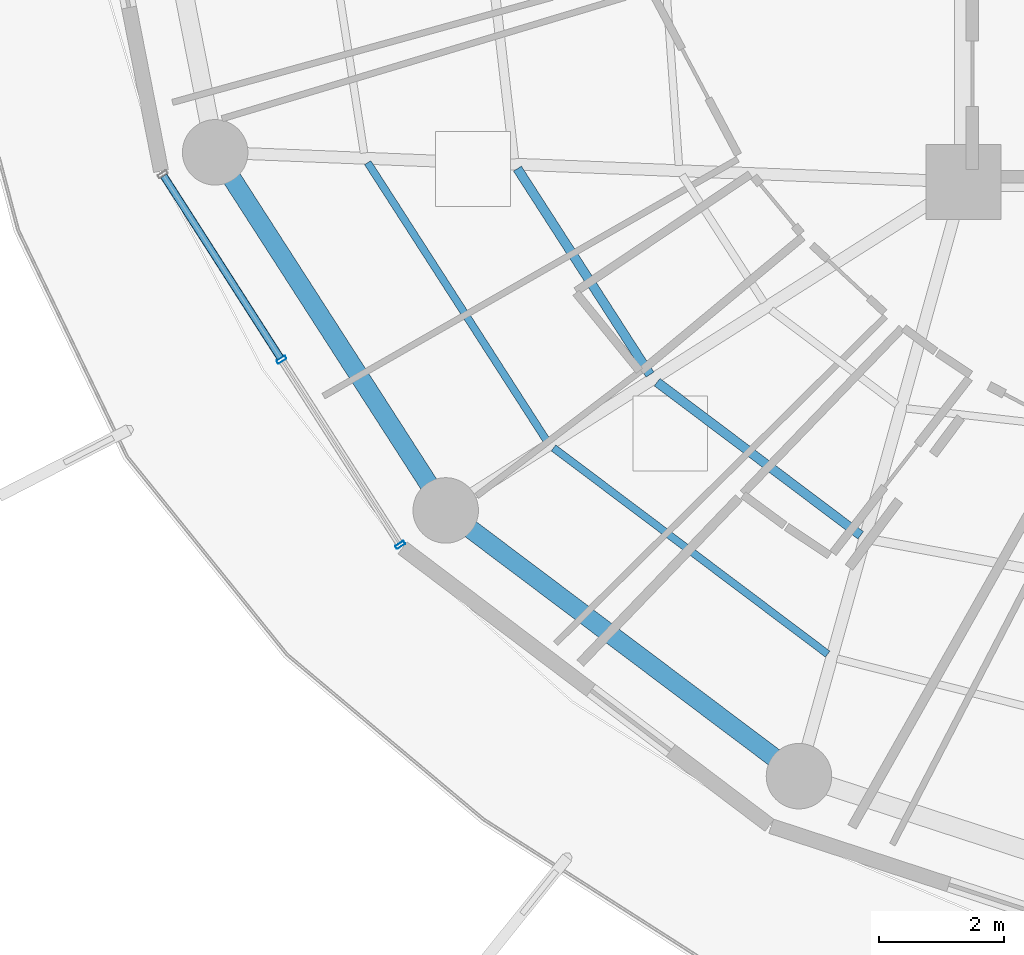
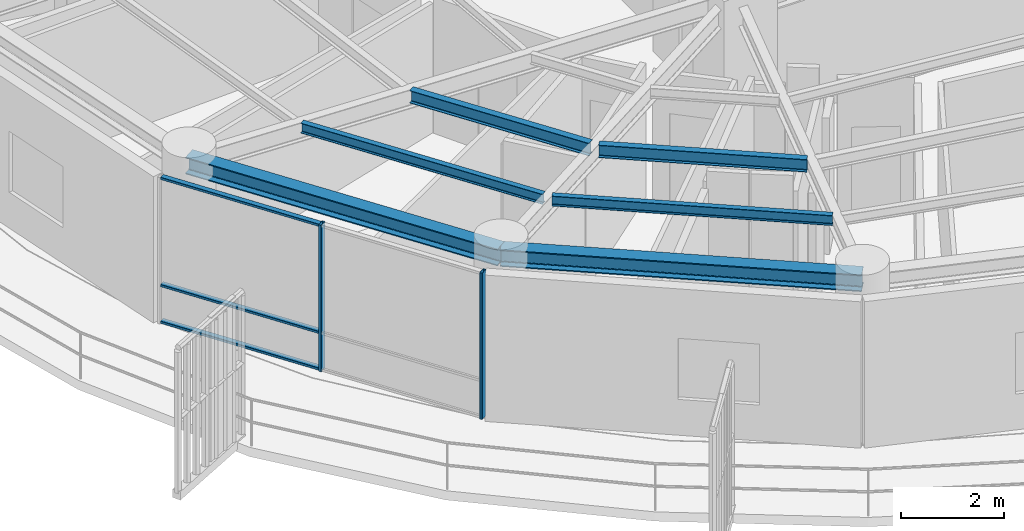
# One storey, part 2 of 31: 6 beams, 5 members, 1 element without a shape of its own.
"""IFC4 building model written with IfcOpenShell, lengths in metres."""

from ifc_helpers import new_model, si_unit, direction, frame, origin, origin_2d, place, context, subcontext, project, spatial, hollow_rectangle, i_section, extrude, material, layer, layer_set, material_profile, profile_set, type_object, element, aggregate, save


model = new_model("IFC4")

# Units and contexts
model_context = context("Model", 3, precision=1e-05, world=origin(), true_north=direction((0.0, 1.0)))
body_context = subcontext(model_context, "Body", "Model", "MODEL_VIEW")
ifc_project = project(units=[si_unit("LENGTHUNIT", "METRE"), si_unit("AREAUNIT", "SQUARE_METRE"), si_unit("VOLUMEUNIT", "CUBIC_METRE"), si_unit("PLANEANGLEUNIT", "RADIAN"), si_unit("MASSUNIT", "GRAM", prefix="KILO")], contexts=[model_context])

# Site, building, storey
site_placement = place(None, origin())
site = spatial("IfcSite", under=ifc_project, at=site_placement, CompositionType="ELEMENT")
building_placement = place(site_placement, origin())
building = spatial("IfcBuilding", under=site, at=building_placement, Name="Kelanora Arch Commons", CompositionType="ELEMENT")
storey_placement = place(building_placement, frame((0.0, 0.0, 196.949951171875)))
storey = spatial("IfcBuildingStorey", under=building, at=storey_placement, Name="L50", CompositionType="ELEMENT", Elevation=196.949951171875)

# Beams
ifc_material_1 = material(Name="Steel S355", Category="steel")
ifc_material_profile_1 = material_profile(ifc_material_1, i_section(OverallWidth=0.14990234375, OverallDepth=0.300048828125, WebThickness=0.007080078125, FlangeThickness=0.0107421875, FilletRadius=0.014892578125, at=origin_2d()), Name="IPE300")
ifc_profile_set_1 = profile_set([ifc_material_profile_1], Name="Steel S355")
beam_type_1 = type_object("IfcBeamType", Name="BM-JST-01", PredefinedType="JOIST", material=ifc_profile_set_1)
beam_1_placement = place(storey_placement, frame((58.847900390625, 51.213134765625, 3.340087890625), z_axis=(0.541411265892, -0.840757896879, 0.0), x_axis=(0.840757896879, 0.541411265892, 0.0)))
element("IfcBeam", 1, at=beam_1_placement, inside=storey, type_object=beam_type_1, Name="Secondary Chord Joist BJB-20 L50", PredefinedType="JOIST", context=body_context, shape_type="SweptSolid", body=[
    extrude(i_section(OverallWidth=0.14990234375, OverallDepth=0.300048828125, WebThickness=0.007080078125, FlangeThickness=0.0107421875, FilletRadius=0.014892578125, at=origin_2d()), origin(), (0.0, 0.0, 1.0), 3.92529296875),
])
beam_2_placement = place(storey_placement, frame((61.087158203125, 47.790283203125, 3.340087890625), z_axis=(0.799101708656, -0.601195857624, 0.0), x_axis=(0.601195857624, 0.799101708656, 0.0)))
element("IfcBeam", 2, at=beam_2_placement, inside=storey, type_object=beam_type_1, Name="Secondary Chord Joist BJB-22 L50", PredefinedType="JOIST", context=body_context, shape_type="SweptSolid", body=[
    extrude(i_section(OverallWidth=0.14990234375, OverallDepth=0.300048828125, WebThickness=0.007080078125, FlangeThickness=0.0107421875, FilletRadius=0.014892578125, at=origin_2d()), origin(), (0.0, 0.0, 1.0), 4.080810546875),
])
ifc_material_profile_2 = material_profile(ifc_material_1, i_section(OverallWidth=0.1201171875, OverallDepth=0.239990234375, WebThickness=0.006103515625, FlangeThickness=0.009765625, FilletRadius=0.014892578125, at=origin_2d()), Name="IPE240")
ifc_profile_set_2 = profile_set([ifc_material_profile_2], Name="Steel S355")
beam_type_2 = type_object("IfcBeamType", Name="BM-JST-02", PredefinedType="JOIST", material=ifc_profile_set_2)
beam_3_placement = place(storey_placement, frame((56.44873046875, 51.30810546875, 3.3701171875), z_axis=(0.541382492679, -0.840776424872, 0.0), x_axis=(0.840776424872, 0.541382492679, 0.0)))
element("IfcBeam", 3, at=beam_3_placement, inside=storey, type_object=beam_type_2, Name="Secondary Chord Joist BJC-20 L50", PredefinedType="JOIST", context=body_context, shape_type="SweptSolid", body=[
    extrude(i_section(OverallWidth=0.1201171875, OverallDepth=0.239990234375, WebThickness=0.006103515625, FlangeThickness=0.009765625, FilletRadius=0.014892578125, at=origin_2d()), origin(), (0.0, 0.0, 1.0), 5.29052734375),
])
beam_4_placement = place(storey_placement, frame((59.4267578125, 46.7373046875, 3.3701171875), z_axis=(0.799109197935, -0.601185902842, 0.0), x_axis=(0.601185902842, 0.799109197935, 0.0)))
element("IfcBeam", 4, at=beam_4_placement, inside=storey, type_object=beam_type_2, Name="Secondary Chord Joist BJC-22 L50", PredefinedType="JOIST", context=body_context, shape_type="SweptSolid", body=[
    extrude(i_section(OverallWidth=0.1201171875, OverallDepth=0.239990234375, WebThickness=0.006103515625, FlangeThickness=0.009765625, FilletRadius=0.014892578125, at=origin_2d()), origin(), (0.0, 0.0, 1.0), 5.497802734375),
])
ifc_material_profile_3 = material_profile(ifc_material_1, i_section(OverallWidth=0.300048828125, OverallDepth=0.39990234375, WebThickness=0.013427734375, FlangeThickness=0.02392578125, FilletRadius=0.027099609375, at=origin_2d()), Name="HEB400")
ifc_profile_set_3 = profile_set([ifc_material_profile_3], Name="Steel S355")
beam_type_3 = type_object("IfcBeamType", Name="BM-SPN-Z4", PredefinedType="SPANDREL", material=ifc_profile_set_3)
beam_5_placement = place(storey_placement, frame((54.00341796875, 51.474365234375, 3.2900390625), z_axis=(0.541364878868, -0.840787766281, 0.0), x_axis=(0.840787766281, 0.541364878868, 0.0)))
element("IfcBeam", 5, at=beam_5_placement, inside=storey, type_object=beam_type_3, Name="Perimeter Spandrel Beam BS-20 L50", PredefinedType="SPANDREL", context=body_context, shape_type="SweptSolid", body=[
    extrude(i_section(OverallWidth=0.300048828125, OverallDepth=0.39990234375, WebThickness=0.013427734375, FlangeThickness=0.02392578125, FilletRadius=0.027099609375, at=origin_2d()), origin(), (0.0, 0.0, 1.0), 6.825439453125),
])
beam_6_placement = place(storey_placement, frame((57.698486328125, 45.735595703125, 3.2900390625), z_axis=(0.799114211715, -0.60117923836, 0.0), x_axis=(0.60117923836, 0.799114211715, 0.0)))
element("IfcBeam", 6, at=beam_6_placement, inside=storey, type_object=beam_type_3, Name="Perimeter Spandrel Beam BS-22 L50", PredefinedType="SPANDREL", context=body_context, shape_type="SweptSolid", body=[
    extrude(i_section(OverallWidth=0.300048828125, OverallDepth=0.39990234375, WebThickness=0.013427734375, FlangeThickness=0.02392578125, FilletRadius=0.027099609375, at=origin_2d()), origin(), (0.0, 0.0, 1.0), 7.0849609375),
])

# Curtain wall, members
ifc_material_2 = material(Name="Terracotta ceramic-fritted low-E glass and aluminium", Category="masonry")
ifc_layer = layer(ifc_material_2, 0.175048828125)
ifc_layer_set = layer_set([ifc_layer], Name="Terracotta ceramic-fritted low-E glass and aluminium")
curtain_wall_type = type_object("IfcCurtainWallType", Name="CW-SYS-02", PredefinedType="NOTDEFINED", material=ifc_layer_set)
curtain_wall_placement = place(storey_placement, origin())
curtain_wall = element("IfcCurtainWall", 7, at=curtain_wall_placement, inside=storey, type_object=curtain_wall_type, Name="Unitised Curtain Wall L50-B10", PredefinedType="NOTDEFINED")
ifc_material_3 = material(Name="Powder-coated aluminium terracotta", Category="masonry")
ifc_material_profile_4 = material_profile(ifc_material_3, hollow_rectangle(XDim=0.159912109375, YDim=0.06005859375, WallThickness=0.0048828125, InnerFilletRadius=0.0048828125, OuterFilletRadius=0.010009765625, at=origin_2d()), Name="CWM160x60")
ifc_profile_set_4 = profile_set([ifc_material_profile_4], Name="Powder-coated aluminium terracotta")
member_type_1 = type_object("IfcMemberType", Name="CWM-STD", PredefinedType="MULLION", material=ifc_profile_set_4)
member_1_placement = place(storey_placement, frame((55.06640625, 48.15185546875, 0.0), z_axis=(0.0, 0.0, 1.0), x_axis=(0.84194757539, 0.539559338994, 0.0)))
member_1 = element("IfcMember", 8, at=member_1_placement, type_object=member_type_1, Name="CW-02 mullion 2", PredefinedType="MULLION", context=body_context, shape_type="SweptSolid", body=[
    extrude(hollow_rectangle(XDim=0.159912109375, YDim=0.06005859375, WallThickness=0.0048828125, InnerFilletRadius=0.0048828125, OuterFilletRadius=0.010009765625, at=origin_2d()), origin(), (0.0, 0.0, 1.0), 3.47509765625),
])
member_2_placement = place(storey_placement, frame((56.969482421875, 45.18212890625, 0.0), z_axis=(0.0, 0.0, 1.0), x_axis=(0.84194757539, 0.539559338994, 0.0)))
member_2 = element("IfcMember", 9, at=member_2_placement, type_object=member_type_1, Name="CW-02 mullion 3", PredefinedType="MULLION", context=body_context, shape_type="SweptSolid", body=[
    extrude(hollow_rectangle(XDim=0.159912109375, YDim=0.06005859375, WallThickness=0.0048828125, InnerFilletRadius=0.0048828125, OuterFilletRadius=0.010009765625, at=origin_2d()), origin(), (0.0, 0.0, 1.0), 3.47509765625),
])
ifc_material_profile_5 = material_profile(ifc_material_3, hollow_rectangle(XDim=0.1201171875, YDim=0.06005859375, WallThickness=0.0048828125, InnerFilletRadius=0.0048828125, OuterFilletRadius=0.010009765625, at=origin_2d()), Name="CWT120x60")
ifc_profile_set_5 = profile_set([ifc_material_profile_5], Name="Powder-coated aluminium terracotta")
member_type_2 = type_object("IfcMemberType", Name="CWT-STD", PredefinedType="USERDEFINED", material=ifc_profile_set_5)
member_3_placement = place(storey_placement, frame((53.17919921875, 51.096435546875, 0.030029296875), z_axis=(0.539579095642, -0.84193491408, 0.0), x_axis=(0.84193491408, 0.539579095642, 0.0)))
member_3 = element("IfcMember", 10, at=member_3_placement, type_object=member_type_2, Name="CW-02 transom 1.1", ObjectType="TRANSOM", PredefinedType="USERDEFINED", context=body_context, shape_type="SweptSolid", body=[
    extrude(hollow_rectangle(XDim=0.1201171875, YDim=0.06005859375, WallThickness=0.0048828125, InnerFilletRadius=0.0048828125, OuterFilletRadius=0.010009765625, at=origin_2d()), origin(), (0.0, 0.0, 1.0), 3.46728515625),
])
member_4_placement = place(storey_placement, frame((53.17919921875, 51.096435546875, 0.900146484375), z_axis=(0.539579095642, -0.84193491408, 0.0), x_axis=(0.84193491408, 0.539579095642, 0.0)))
member_4 = element("IfcMember", 11, at=member_4_placement, type_object=member_type_2, Name="CW-02 transom 1.2", ObjectType="TRANSOM", PredefinedType="USERDEFINED", context=body_context, shape_type="SweptSolid", body=[
    extrude(hollow_rectangle(XDim=0.1201171875, YDim=0.06005859375, WallThickness=0.0048828125, InnerFilletRadius=0.0048828125, OuterFilletRadius=0.010009765625, at=origin_2d()), origin(), (0.0, 0.0, 1.0), 3.46728515625),
])
member_5_placement = place(storey_placement, frame((53.17919921875, 51.096435546875, 3.445068359375), z_axis=(0.539579095642, -0.84193491408, 0.0), x_axis=(0.84193491408, 0.539579095642, 0.0)))
member_5 = element("IfcMember", 12, at=member_5_placement, type_object=member_type_2, Name="CW-02 transom 1.3", ObjectType="TRANSOM", PredefinedType="USERDEFINED", context=body_context, shape_type="SweptSolid", body=[
    extrude(hollow_rectangle(XDim=0.1201171875, YDim=0.06005859375, WallThickness=0.0048828125, InnerFilletRadius=0.0048828125, OuterFilletRadius=0.010009765625, at=origin_2d()), origin(), (0.0, 0.0, 1.0), 3.46728515625),
])
aggregate(curtain_wall, [member_1, member_2, member_3, member_4, member_5])

save(model, "model.ifc")
